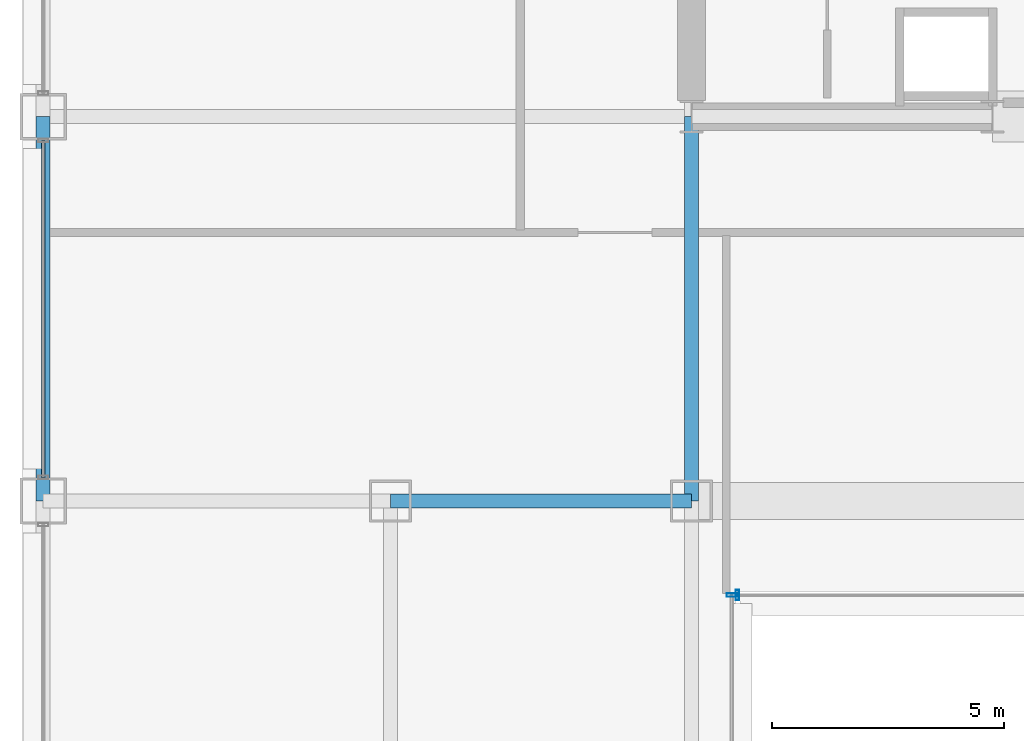
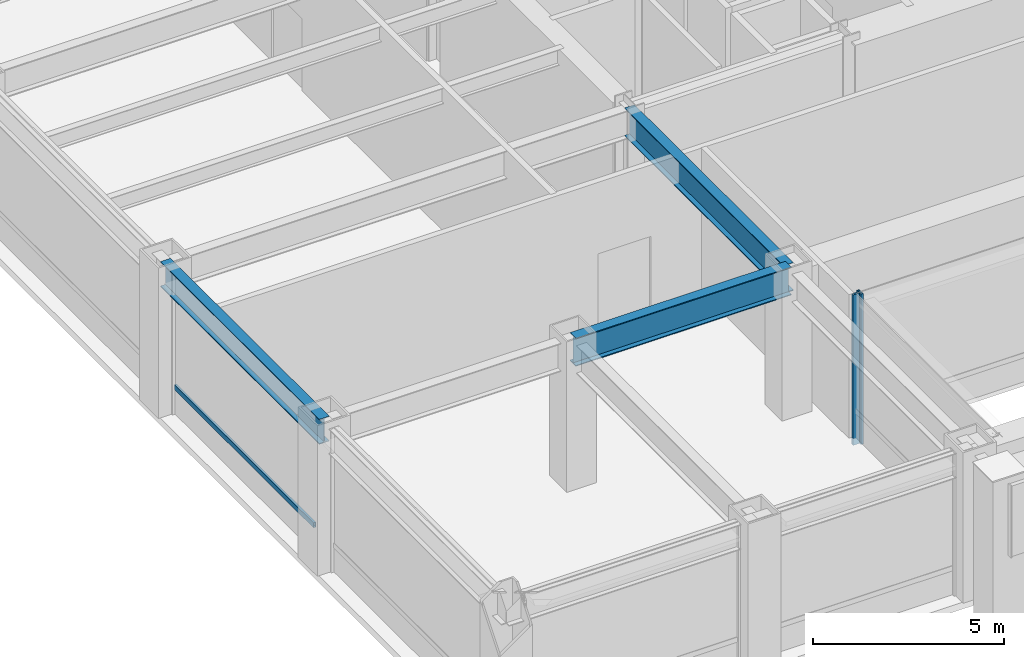
# One storey, part 3 of 37: 3 beams, 3 members, 3 elements without a shape of their own.
"""IFC4 building model written with IfcOpenShell, lengths in metres."""

from ifc_helpers import new_model, si_unit, direction, frame, origin, origin_2d, place, context, subcontext, project, spatial, hollow_rectangle, i_section, extrude, material, layer, layer_set, material_profile, profile_set, type_object, element, aggregate, save


model = new_model("IFC4")

# Units and contexts
model_context = context("Model", 3, precision=1e-05, world=origin(), true_north=direction((0.0, 1.0)))
body_context = subcontext(model_context, "Body", "Model", "MODEL_VIEW")
ifc_project = project(units=[si_unit("LENGTHUNIT", "METRE"), si_unit("AREAUNIT", "SQUARE_METRE"), si_unit("VOLUMEUNIT", "CUBIC_METRE"), si_unit("PLANEANGLEUNIT", "RADIAN"), si_unit("MASSUNIT", "GRAM", prefix="KILO")], contexts=[model_context])

# Site, building, storey
site_placement = place(None, origin())
site = spatial("IfcSite", under=ifc_project, at=site_placement, CompositionType="ELEMENT")
building_placement = place(site_placement, origin())
building = spatial("IfcBuilding", under=site, at=building_placement, Name="Brelmoor Portico Tower", CompositionType="ELEMENT")
storey_placement = place(building_placement, frame((0.0, 0.0, 14.39990234375)))
storey = spatial("IfcBuildingStorey", under=building, at=storey_placement, Name="L03", CompositionType="ELEMENT", Elevation=14.39990234375)

# Beams
ifc_material_1 = material(Name="Steel Q355B", Category="steel")
ifc_material_profile_1 = material_profile(ifc_material_1, i_section(OverallWidth=0.300048828125, OverallDepth=0.89990234375, WebThickness=0.01611328125, FlangeThickness=0.028076171875, at=origin_2d()), Name="HN 900x300x16x28")
ifc_profile_set_1 = profile_set([ifc_material_profile_1], Name="Steel Q355B")
beam_type_1 = type_object("IfcBeamType", Name="BM-PG-900", PredefinedType="BEAM", material=ifc_profile_set_1)
beam_1_placement = place(storey_placement, frame((-14.550048828125, -18.050048828125, 4.130126953125), z_axis=(0.0, 1.0, 0.0), x_axis=(-1.0, 0.0, 0.0)))
element("IfcBeam", 1, at=beam_1_placement, inside=storey, type_object=beam_type_1, Name="L03 Primary Floor Girder PG-05", PredefinedType="BEAM", context=body_context, shape_type="SweptSolid", body=[
    extrude(i_section(OverallWidth=0.300048828125, OverallDepth=0.89990234375, WebThickness=0.01611328125, FlangeThickness=0.028076171875, at=origin_2d()), origin(), (0.0, 0.0, 1.0), 8.300048828125),
])
beam_2_placement = place(storey_placement, frame((-21.050048828125, -18.050048828125, 4.130126953125), z_axis=(1.0, 0.0, 0.0), x_axis=(0.0, 1.0, 0.0)))
element("IfcBeam", 2, at=beam_2_placement, inside=storey, type_object=beam_type_1, Name="L03 Primary Floor Girder PG-22", PredefinedType="BEAM", context=body_context, shape_type="SweptSolid", body=[
    extrude(i_section(OverallWidth=0.300048828125, OverallDepth=0.89990234375, WebThickness=0.01611328125, FlangeThickness=0.028076171875, at=origin_2d()), origin(), (0.0, 0.0, 1.0), 6.5),
])
ifc_material_profile_2 = material_profile(ifc_material_1, i_section(OverallWidth=0.300048828125, OverallDepth=0.800048828125, WebThickness=0.013916015625, FlangeThickness=0.02587890625, at=origin_2d()), Name="HN 800x300x14x26")
ifc_profile_set_2 = profile_set([ifc_material_profile_2], Name="Steel Q355B")
beam_type_2 = type_object("IfcBeamType", Name="BM-SP-800", PredefinedType="SPANDREL", material=ifc_profile_set_2)
beam_3_placement = place(storey_placement, frame((-28.550048828125, -18.050048828125, 4.18017578125), z_axis=(0.0, 1.0, 0.0), x_axis=(-1.0, 0.0, 0.0)))
element("IfcBeam", 3, at=beam_3_placement, inside=storey, type_object=beam_type_2, Name="L03 Perimeter Spandrel Beam SP-12", PredefinedType="SPANDREL", context=body_context, shape_type="SweptSolid", body=[
    extrude(i_section(OverallWidth=0.300048828125, OverallDepth=0.800048828125, WebThickness=0.013916015625, FlangeThickness=0.02587890625, at=origin_2d()), origin(), (0.0, 0.0, 1.0), 8.300048828125),
])

# Curtain wall, member
ifc_material_2 = material(Name="Anodised Aluminium Alloy 6063-T6", Category="aluminium")
ifc_layer = layer(ifc_material_2, 0.179931640625)
ifc_layer_set = layer_set([ifc_layer], Name="Anodised Aluminium Alloy 6063-T6")
curtain_wall_type = type_object("IfcCurtainWallType", Name="CW-PODIUM-ARCH", PredefinedType="NOTDEFINED", material=ifc_layer_set)
curtain_wall_1_placement = place(storey_placement, origin())
curtain_wall_1 = element("IfcCurtainWall", 4, at=curtain_wall_1_placement, inside=storey, type_object=curtain_wall_type, Name="L03 Curtain Wall CW-L03-03", PredefinedType="NOTDEFINED")
ifc_material_profile_3 = material_profile(ifc_material_2, hollow_rectangle(XDim=0.074951171875, YDim=0.219970703125, WallThickness=0.0048828125, at=origin_2d()), Name="ALU MULLION 75x220")
ifc_profile_set_3 = profile_set([ifc_material_profile_3], Name="Anodised Aluminium Alloy 6063-T6")
member_type_1 = type_object("IfcMemberType", Name="MB-CW-MULL-220", PredefinedType="MULLION", material=ifc_profile_set_3)
member_1_placement = place(storey_placement, frame((-13.679931640625, -20.080078125, -0.219970703125), z_axis=(0.0, 0.0, 1.0), x_axis=(0.0, 1.0, 0.0)))
member_1 = element("IfcMember", 5, at=member_1_placement, type_object=member_type_1, Name="CW-L03-03 Mullion 01", PredefinedType="MULLION", context=body_context, shape_type="SweptSolid", body=[
    extrude(hollow_rectangle(XDim=0.074951171875, YDim=0.219970703125, WallThickness=0.0048828125, at=origin_2d()), origin(), (0.0, 0.0, 1.0), 4.800048828125),
])
aggregate(curtain_wall_1, [member_1])

curtain_wall_2_placement = place(storey_placement, origin())
curtain_wall_2 = element("IfcCurtainWall", 6, at=curtain_wall_2_placement, inside=storey, type_object=curtain_wall_type, Name="L03 Curtain Wall CW-L03-05", PredefinedType="NOTDEFINED")
member_2_placement = place(storey_placement, frame((-13.56005859375, -20.080078125, -0.219970703125), z_axis=(0.0, 0.0, 1.0), x_axis=(1.0, 0.0, 0.0)))
member_2 = element("IfcMember", 7, at=member_2_placement, type_object=member_type_1, Name="CW-L03-05 Mullion 00", PredefinedType="MULLION", context=body_context, shape_type="SweptSolid", body=[
    extrude(hollow_rectangle(XDim=0.074951171875, YDim=0.219970703125, WallThickness=0.0048828125, at=origin_2d()), origin(), (0.0, 0.0, 1.0), 4.800048828125),
])
aggregate(curtain_wall_2, [member_2])

curtain_wall_3_placement = place(storey_placement, origin())
curtain_wall_3 = element("IfcCurtainWall", 8, at=curtain_wall_3_placement, inside=storey, type_object=curtain_wall_type, Name="L03 Curtain Wall CW-L03-11-2", PredefinedType="NOTDEFINED")
ifc_material_profile_4 = material_profile(ifc_material_2, hollow_rectangle(XDim=0.070068359375, YDim=0.159912109375, WallThickness=0.00390625, at=origin_2d()), Name="ALU TRANSOM 70x160")
ifc_profile_set_4 = profile_set([ifc_material_profile_4], Name="Anodised Aluminium Alloy 6063-T6")
member_type_2 = type_object("IfcMemberType", Name="MB-CW-TRAN-160", PredefinedType="USERDEFINED", material=ifc_profile_set_4)
member_3_placement = place(storey_placement, frame((-28.550048828125, -17.5400390625, 0.85009765625), z_axis=(0.0, 1.0, 0.0), x_axis=(-1.0, 0.0, 0.0)))
member_3 = element("IfcMember", 9, at=member_3_placement, type_object=member_type_2, Name="CW-L03-11-2 Transom 1-00", ObjectType="TRANSOM", PredefinedType="USERDEFINED", context=body_context, shape_type="SweptSolid", body=[
    extrude(hollow_rectangle(XDim=0.070068359375, YDim=0.159912109375, WallThickness=0.00390625, at=origin_2d()), origin(), (0.0, 0.0, 1.0), 7.280029296875),
])
aggregate(curtain_wall_3, [member_3])

save(model, "model.ifc")
